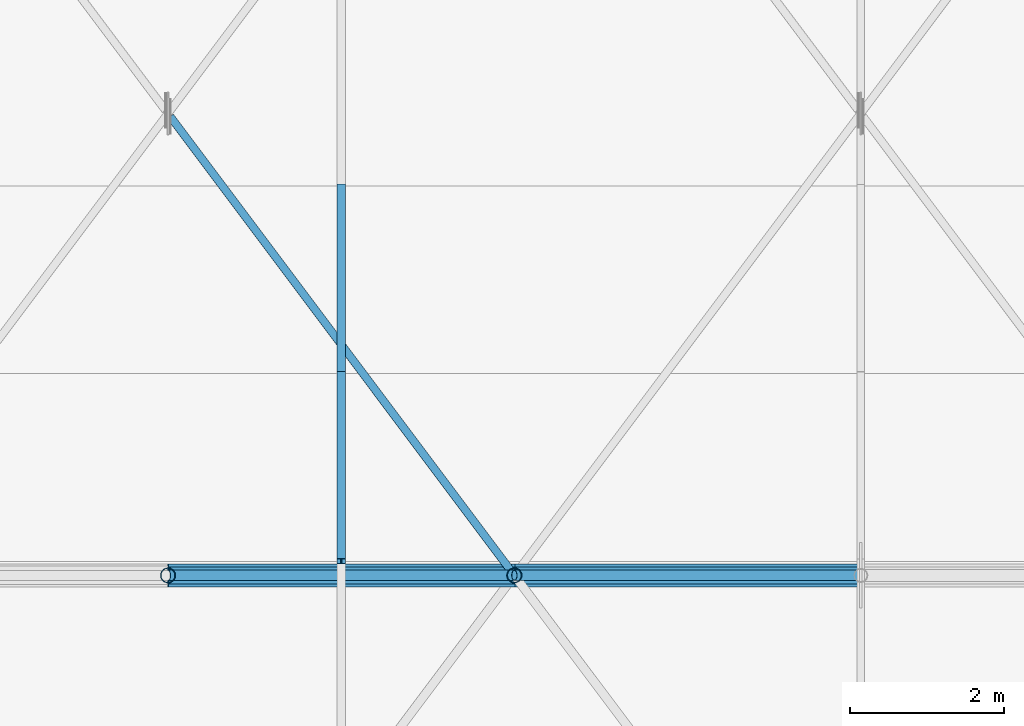
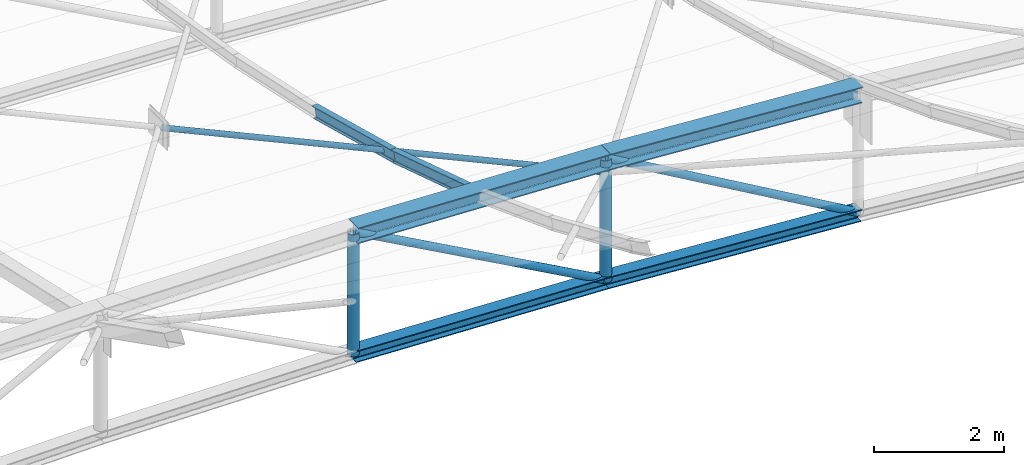
# One storey, part 65 of 262: 11 members.
"""IFC4 building model written with IfcOpenShell, lengths in metres."""

from ifc_helpers import new_model, si_unit, derived_unit, direction, frame, origin, origin_2d, place, context, subcontext, project, spatial, hollow_circle, i_section, extrude, material, material_profile, profile_set, type_object, element, save


model = new_model("IFC4")

# Units and contexts
model_context = context("Model", 3, precision=1e-05, world=origin(), true_north=direction((0.0, 1.0)))
body_context = subcontext(model_context, "Body", "Model", "MODEL_VIEW")
ifc_project = project(units=[si_unit("LENGTHUNIT", "METRE"), si_unit("AREAUNIT", "SQUARE_METRE"), si_unit("VOLUMEUNIT", "CUBIC_METRE"), si_unit("PLANEANGLEUNIT", "RADIAN"), si_unit("MASSUNIT", "GRAM", prefix="KILO"), derived_unit("THERMALTRANSMITTANCEUNIT", [(si_unit("POWERUNIT", "WATT"), 1), (si_unit("LENGTHUNIT", "METRE"), -2), (si_unit("THERMODYNAMICTEMPERATUREUNIT", "KELVIN"), -1)])], contexts=[model_context])

# Site, building, storey
site_placement = place(None, origin())
site = spatial("IfcSite", under=ifc_project, at=site_placement, CompositionType="ELEMENT")
building_placement = place(site_placement, origin())
building = spatial("IfcBuilding", under=site, at=building_placement, Name="Almenara Railside Exhibition Hall", CompositionType="ELEMENT")
storey_placement = place(building_placement, frame((0.0, 0.0, 21.699951171875)))
storey = spatial("IfcBuildingStorey", under=building, at=storey_placement, Name="RF", CompositionType="ELEMENT", Elevation=21.699951171875)

# Members
ifc_material = material(Name="Structural steel S355JR", Category="steel")
ifc_material_profile_1 = material_profile(ifc_material, i_section(OverallWidth=0.300048828125, OverallDepth=0.300048828125, WebThickness=0.010986328125, FlangeThickness=0.01904296875, FilletRadius=0.027099609375, at=origin_2d()), Name="HEB 300")
ifc_profile_set_1 = profile_set([ifc_material_profile_1], Name="Structural steel S355JR")
member_type_1 = type_object("IfcMemberType", Name="Arched Inner Top Chord HEB 300 S355JR", PredefinedType="CHORD", material=ifc_profile_set_1)
member_1_placement = place(storey_placement, frame((43.5, 60.0, 4.980224609375), z_axis=(0.99917098071, 0.0, -0.04071057978), x_axis=(0.0, 1.0, 0.0)))
element("IfcMember", 1, at=member_1_placement, inside=storey, type_object=member_type_1, Name="MEM-TC-V1-01-07", PredefinedType="CHORD", context=body_context, shape_type="SweptSolid", body=[
    extrude(i_section(OverallWidth=0.300048828125, OverallDepth=0.300048828125, WebThickness=0.010986328125, FlangeThickness=0.01904296875, FilletRadius=0.027099609375, at=origin_2d()), origin(), (0.0, 0.0, 1.0), 4.503662109375),
])
member_2_placement = place(storey_placement, frame((48.0, 60.0, 4.796875), z_axis=(0.997701025897, 0.0, -0.067769188608), x_axis=(0.0, 1.0, 0.0)))
element("IfcMember", 2, at=member_2_placement, inside=storey, type_object=member_type_1, Name="MEM-TC-V1-01-08", PredefinedType="CHORD", context=body_context, shape_type="SweptSolid", body=[
    extrude(i_section(OverallWidth=0.300048828125, OverallDepth=0.300048828125, WebThickness=0.010986328125, FlangeThickness=0.01904296875, FilletRadius=0.027099609375, at=origin_2d()), origin(), (0.0, 0.0, 1.0), 4.51025390625),
])
ifc_material_profile_2 = material_profile(ifc_material, i_section(OverallWidth=0.110107421875, OverallDepth=0.219970703125, WebThickness=0.005859375, FlangeThickness=0.00927734375, FilletRadius=0.011962890625, at=origin_2d()), Name="IPE 220")
ifc_profile_set_2 = profile_set([ifc_material_profile_2], Name="Structural steel S355JR")
member_type_2 = type_object("IfcMemberType", Name="Heavy Hall Roof Purlin IPE 220 S355JR", PredefinedType="PURLIN", material=ifc_profile_set_2)
member_3_placement = place(storey_placement, frame((45.75, 60.18359375, 4.817138671875), z_axis=(0.0, 0.952440767254, -0.304723784553), x_axis=(-1.0, 0.0, 0.0)))
element("IfcMember", 3, at=member_3_placement, inside=storey, type_object=member_type_2, Name="MEM-PR-V1-PR-IPE220-05-05", PredefinedType="PURLIN", context=body_context, shape_type="SweptSolid", body=[
    extrude(i_section(OverallWidth=0.110107421875, OverallDepth=0.219970703125, WebThickness=0.005859375, FlangeThickness=0.00927734375, FilletRadius=0.011962890625, at=origin_2d()), origin(), (0.0, 0.0, 1.0), 2.55810546875),
])
member_4_placement = place(storey_placement, frame((45.75, 62.6201171875, 4.042236328125), z_axis=(0.0, 0.966201190487, -0.257789176462), x_axis=(-1.0, 0.0, 0.0)))
element("IfcMember", 4, at=member_4_placement, inside=storey, type_object=member_type_2, Name="MEM-PR-V1-PR-IPE220-05-06", PredefinedType="PURLIN", context=body_context, shape_type="SweptSolid", body=[
    extrude(i_section(OverallWidth=0.110107421875, OverallDepth=0.219970703125, WebThickness=0.005859375, FlangeThickness=0.00927734375, FilletRadius=0.011962890625, at=origin_2d()), origin(), (0.0, 0.0, 1.0), 2.52197265625),
])
ifc_material_profile_3 = material_profile(ifc_material, i_section(OverallWidth=0.219970703125, OverallDepth=0.219970703125, WebThickness=0.009521484375, FlangeThickness=0.01611328125, FilletRadius=0.01806640625, at=origin_2d()), Name="HEB 220")
ifc_profile_set_3 = profile_set([ifc_material_profile_3], Name="Structural steel S355JR")
member_type_3 = type_object("IfcMemberType", Name="Scroll Tie Chord HEB 220 S355JR", PredefinedType="CHORD", material=ifc_profile_set_3)
member_5_placement = place(storey_placement, frame((43.5, 60.0, 2.68017578125), z_axis=(0.99917098071, 0.0, -0.04071057978), x_axis=(0.0, 1.0, 0.0)))
element("IfcMember", 5, at=member_5_placement, inside=storey, type_object=member_type_3, Name="MEM-BC-V1-01-07", PredefinedType="CHORD", context=body_context, shape_type="SweptSolid", body=[
    extrude(i_section(OverallWidth=0.219970703125, OverallDepth=0.219970703125, WebThickness=0.009521484375, FlangeThickness=0.01611328125, FilletRadius=0.01806640625, at=origin_2d()), origin(), (0.0, 0.0, 1.0), 4.503662109375),
])
member_6_placement = place(storey_placement, frame((48.0, 60.0, 2.496826171875), z_axis=(0.997701025897, 0.0, -0.067769188608), x_axis=(0.0, 1.0, 0.0)))
element("IfcMember", 6, at=member_6_placement, inside=storey, type_object=member_type_3, Name="MEM-BC-V1-01-08", PredefinedType="CHORD", context=body_context, shape_type="SweptSolid", body=[
    extrude(i_section(OverallWidth=0.219970703125, OverallDepth=0.219970703125, WebThickness=0.009521484375, FlangeThickness=0.01611328125, FilletRadius=0.01806640625, at=origin_2d()), origin(), (0.0, 0.0, 1.0), 4.51025390625),
])
ifc_material_profile_4 = material_profile(ifc_material, hollow_circle(Radius=0.05078125, WallThickness=0.00390625, at=origin_2d()), Name="CHS 101.6x4")
ifc_profile_set_4 = profile_set([ifc_material_profile_4], Name="Structural steel S355JR")
member_type_4 = type_object("IfcMemberType", Name="Scroll Wind Plan Brace CHS 101.6x4 S355JR", PredefinedType="BRACE", material=ifc_profile_set_4)
member_7_placement = place(storey_placement, frame((48.0, 60.0, 4.516845703125), z_axis=(-0.592260313902, 0.789691207109, -0.160048486379), x_axis=(-0.80000393459, -0.599994753845, 0.0)))
element("IfcMember", 7, at=member_7_placement, inside=storey, type_object=member_type_4, Name="MEM-WB-V1-WB-CHS102-01-06-S1", PredefinedType="BRACE", context=body_context, shape_type="SweptSolid", body=[
    extrude(hollow_circle(Radius=0.05078125, WallThickness=0.00390625, at=origin_2d()), origin(), (0.0, 0.0, 1.0), 7.543212890625),
])
ifc_material_profile_5 = material_profile(ifc_material, hollow_circle(Radius=0.06982421875, WallThickness=0.0048828125, at=origin_2d()), Name="CHS 139.7x5")
ifc_profile_set_5 = profile_set([ifc_material_profile_5], Name="Structural steel S355JR")
member_type_5 = type_object("IfcMemberType", Name="Truss Inner Diagonal CHS 139.7x5 S355JR", PredefinedType="BRACE", material=ifc_profile_set_5)
member_8_placement = place(storey_placement, frame((43.5, 60.0, 4.980224609375), z_axis=(0.875525025835, 0.0, -0.483172773589), x_axis=(0.0, 1.0, 0.0)))
element("IfcMember", 8, at=member_8_placement, inside=storey, type_object=member_type_5, Name="MEM-TD-V1-01-07", PredefinedType="BRACE", context=body_context, shape_type="SweptSolid", body=[
    extrude(hollow_circle(Radius=0.06982421875, WallThickness=0.0048828125, at=origin_2d()), origin(), (0.0, 0.0, 1.0), 5.139892578125),
])
member_9_placement = place(storey_placement, frame((48.0, 60.0, 4.796875), z_axis=(0.865388781224, 0.0, -0.501101045031), x_axis=(0.0, 1.0, 0.0)))
element("IfcMember", 9, at=member_9_placement, inside=storey, type_object=member_type_5, Name="MEM-TD-V1-01-08", PredefinedType="BRACE", context=body_context, shape_type="SweptSolid", body=[
    extrude(hollow_circle(Radius=0.06982421875, WallThickness=0.0048828125, at=origin_2d()), origin(), (0.0, 0.0, 1.0), 5.199951171875),
])
ifc_material_profile_6 = material_profile(ifc_material, hollow_circle(Radius=0.096923828125, WallThickness=0.00634765625, at=origin_2d()), Name="CHS 193.7x6.3")
ifc_profile_set_6 = profile_set([ifc_material_profile_6], Name="Structural steel S355JR")
member_type_6 = type_object("IfcMemberType", Name="Truss Standard Vertical Strut CHS 193.7x6.3 S355JR", PredefinedType="BRACE", material=ifc_profile_set_6)
for number, where, z_axis, x_axis, name in (
    (10, (43.5, 60.0, 2.68017578125), (0.0, 0.0, 1.0), (1.0, 0.0, 0.0), "MEM-TV-V1-01-07"),
    (11, (48.0, 60.0, 2.496826171875), (0.0, 0.0, 1.0), (1.0, 0.0, 0.0), "MEM-TV-V1-01-08"),
):
    element("IfcMember", number, at=place(storey_placement, frame(where, z_axis=z_axis, x_axis=x_axis)), inside=storey, type_object=member_type_6, Name=name, PredefinedType="BRACE", context=body_context, shape_type="SweptSolid", body=[
        extrude(hollow_circle(Radius=0.096923828125, WallThickness=0.00634765625, at=origin_2d()), origin(), (0.0, 0.0, 1.0), 2.300048828125),
    ])

save(model, "model.ifc")
